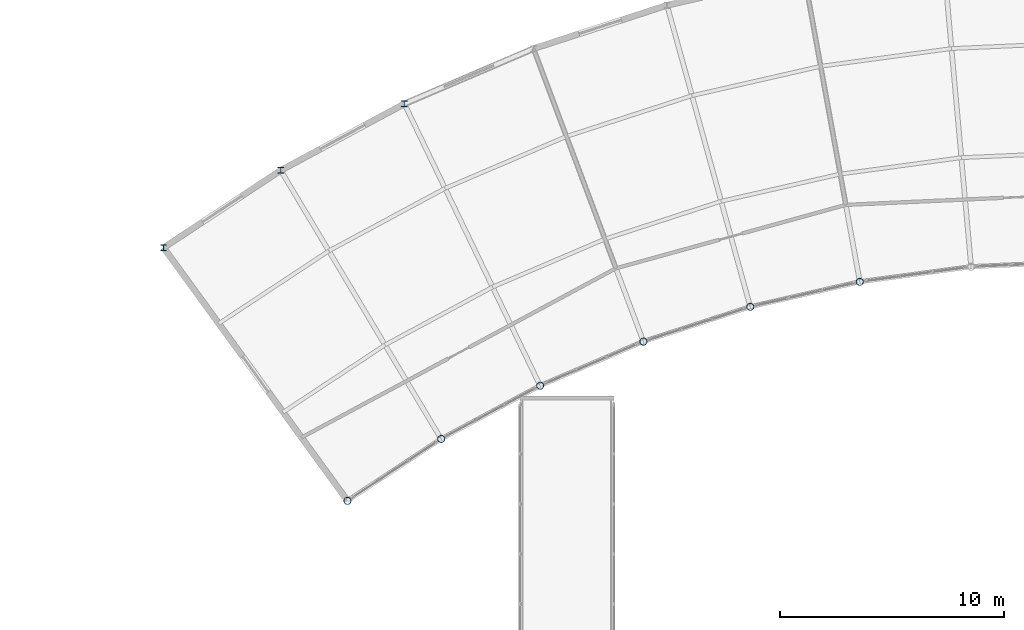
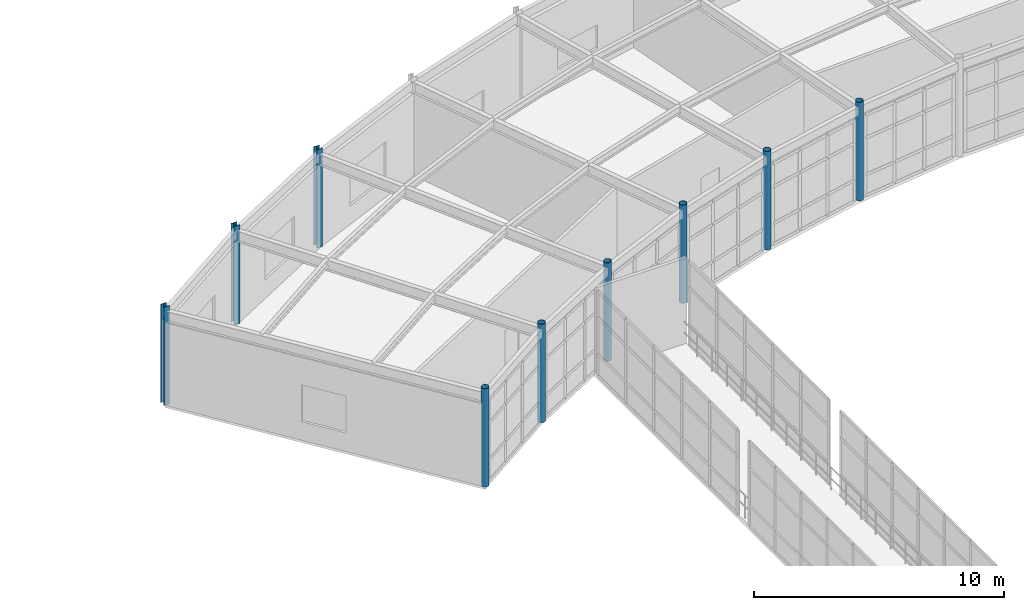
# One storey, part 12 of 116: 9 columns.
"""IFC4 building model written with IfcOpenShell, lengths in metres."""

from ifc_helpers import new_model, si_unit, direction, frame, origin, origin_2d, place, context, subcontext, project, spatial, hollow_circle, i_section, extrude, material, material_profile, profile_set, type_object, element, save


model = new_model("IFC4")

# Units and contexts
model_context = context("Model", 3, precision=1e-05, world=origin(), true_north=direction((0.0, 1.0)))
body_context = subcontext(model_context, "Body", "Model", "MODEL_VIEW")
ifc_project = project(units=[si_unit("LENGTHUNIT", "METRE"), si_unit("AREAUNIT", "SQUARE_METRE"), si_unit("VOLUMEUNIT", "CUBIC_METRE"), si_unit("PLANEANGLEUNIT", "RADIAN"), si_unit("MASSUNIT", "GRAM", prefix="KILO")], contexts=[model_context])

# Site, building, storey
site_placement = place(None, origin())
site = spatial("IfcSite", under=ifc_project, at=site_placement, CompositionType="ELEMENT")
building_placement = place(site_placement, origin())
building = spatial("IfcBuilding", under=site, at=building_placement, Name="Selat Folded Stagehouse", CompositionType="ELEMENT")
storey_placement = place(building_placement, frame((0.0, 0.0, 5.39990234375)))
storey = spatial("IfcBuildingStorey", under=building, at=storey_placement, Name="L01", CompositionType="ELEMENT", Elevation=5.39990234375)

# Columns
ifc_material = material(Name="Steel S355", Category="steel")
ifc_material_profile_1 = material_profile(ifc_material, hollow_circle(Radius=0.161865234375, WallThickness=0.012451171875, at=origin_2d()), Name="CHS 323.9x12.5")
ifc_profile_set_1 = profile_set([ifc_material_profile_1], Name="Steel S355")
column_type_1 = type_object("IfcColumnType", Name="COL-CHS-323x12.5", PredefinedType="COLUMN", material=ifc_profile_set_1)
for number, where, z_axis, x_axis, name in (
    (1, (59.48388671875, 83.304931640625, 0.0), (0.0, 0.0, 1.0), (1.0, 0.0, 0.0), "L01 column STK-V6IN-00"),
    (2, (63.677490234375, 86.072998046875, 0.0), (0.0, 0.0, 1.0), (1.0, 0.0, 0.0), "L01 column STK-V6IN-01"),
    (3, (68.1025390625, 88.454345703125, 0.0), (0.0, 0.0, 1.0), (1.0, 0.0, 0.0), "L01 column STK-V6IN-02"),
    (4, (72.722900390625, 90.42919921875, 0.0), (0.0, 0.0, 1.0), (1.0, 0.0, 0.0), "L01 column STK-V6IN-03"),
    (5, (77.501953125, 91.98193359375, 0.0), (0.0, 0.0, 1.0), (1.0, 0.0, 0.0), "L01 column STK-V6IN-04"),
    (6, (82.40087890625, 93.10009765625, 0.0), (0.0, 0.0, 1.0), (1.0, 0.0, 0.0), "L01 column STK-V6IN-05"),
):
    element("IfcColumn", number, at=place(storey_placement, frame(where, z_axis=z_axis, x_axis=x_axis)), inside=storey, type_object=column_type_1, Name=name, PredefinedType="COLUMN", context=body_context, shape_type="SweptSolid", body=[
        extrude(hollow_circle(Radius=0.161865234375, WallThickness=0.012451171875, at=origin_2d()), origin(), (0.0, 0.0, 1.0), 4.800048828125),
    ])
ifc_material_profile_2 = material_profile(ifc_material, i_section(OverallWidth=0.2587890625, OverallDepth=0.2666015625, WebThickness=0.0126953125, FlangeThickness=0.0205078125, FilletRadius=0.0126953125, at=origin_2d()), Name="UKC 254x254x107")
ifc_profile_set_2 = profile_set([ifc_material_profile_2], Name="Steel S355")
column_type_2 = type_object("IfcColumnType", Name="COL-UKC-254x254x107", PredefinedType="COLUMN", material=ifc_profile_set_2)
for number, where, z_axis, x_axis, name in (
    (7, (51.2548828125, 94.631103515625, 0.0), (0.0, 0.0, 1.0), (1.0, 0.0, 0.0), "L01 column STK-V6OUT-00"),
    (8, (56.4970703125, 98.09130859375, 0.0), (0.0, 0.0, 1.0), (1.0, 0.0, 0.0), "L01 column STK-V6OUT-01"),
    (9, (62.028076171875, 101.06787109375, 0.0), (0.0, 0.0, 1.0), (1.0, 0.0, 0.0), "L01 column STK-V6OUT-02"),
):
    element("IfcColumn", number, at=place(storey_placement, frame(where, z_axis=z_axis, x_axis=x_axis)), inside=storey, type_object=column_type_2, Name=name, PredefinedType="COLUMN", context=body_context, shape_type="SweptSolid", body=[
        extrude(i_section(OverallWidth=0.2587890625, OverallDepth=0.2666015625, WebThickness=0.0126953125, FlangeThickness=0.0205078125, FilletRadius=0.0126953125, at=origin_2d()), origin(), (0.0, 0.0, 1.0), 4.800048828125),
    ])

save(model, "model.ifc")
